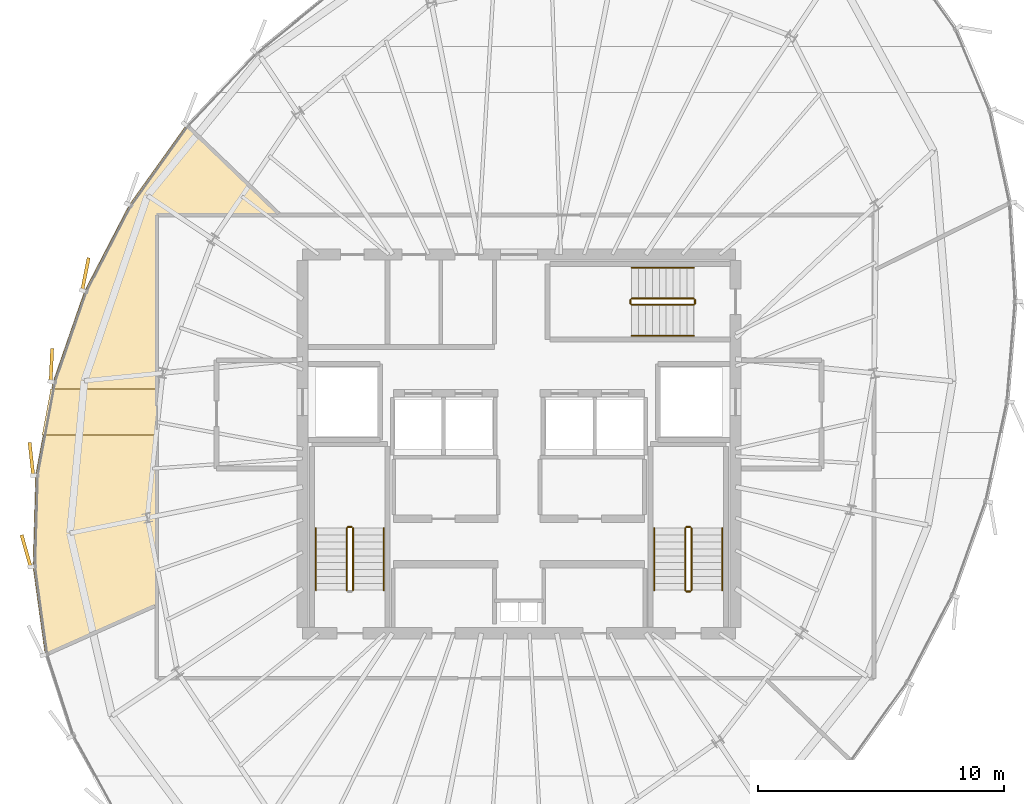
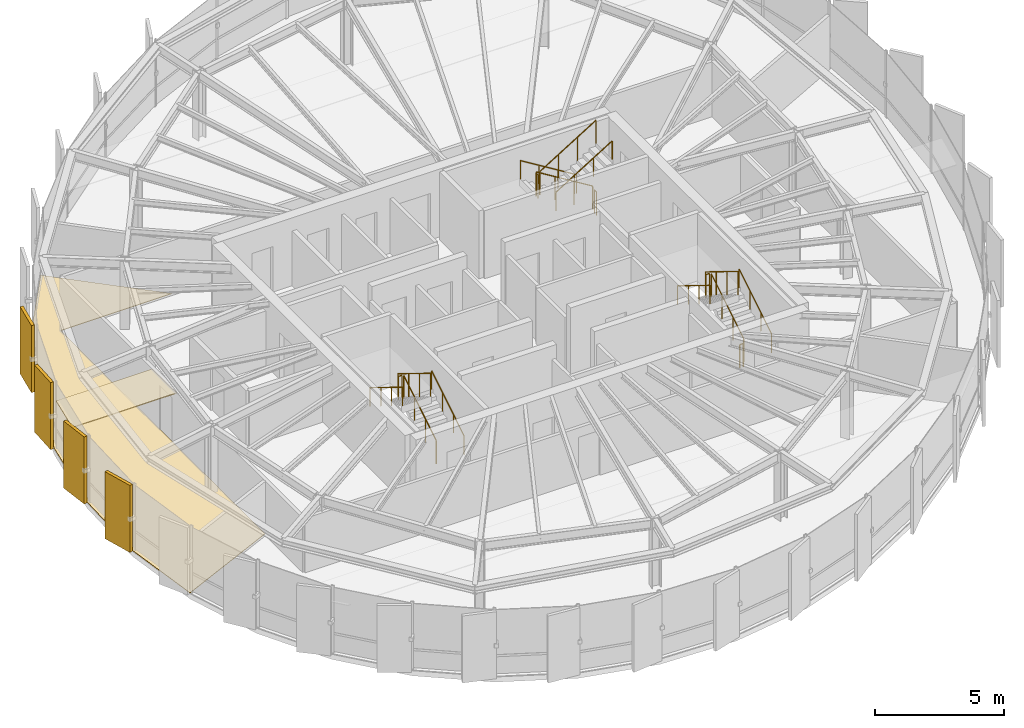
# One storey, part 30 of 31: 17 railings, 6 coverings.
"""IFC4 building model written with IfcOpenShell, lengths in metres."""

from ifc_helpers import new_model, si_unit, direction, frame, origin, origin_2d, place, context, subcontext, project, spatial, polyline, rectangle, circle, outline, extrude, source, transform, mapped, material, layer, layer_set, type_object, element, save


model = new_model("IFC4")

# Units and contexts
model_context = context("Model", 3, precision=1e-05, world=origin(), true_north=direction((0.0, 1.0)))
body_context = subcontext(model_context, "Body", "Model", "MODEL_VIEW")
ifc_project = project(units=[si_unit("LENGTHUNIT", "METRE"), si_unit("AREAUNIT", "SQUARE_METRE"), si_unit("VOLUMEUNIT", "CUBIC_METRE"), si_unit("PLANEANGLEUNIT", "RADIAN"), si_unit("MASSUNIT", "GRAM", prefix="KILO"), si_unit("THERMODYNAMICTEMPERATUREUNIT", "KELVIN")], contexts=[model_context])

# Site, building, storey
site_placement = place(None, origin())
site = spatial("IfcSite", under=ifc_project, at=site_placement, CompositionType="ELEMENT")
building_placement = place(site_placement, origin())
building = spatial("IfcBuilding", under=site, at=building_placement, Name="Kethvar Cultural Tower", CompositionType="ELEMENT")
storey_placement = place(building_placement, frame((0.0, 0.0, 269.800048828125)))
storey = spatial("IfcBuildingStorey", under=building, at=storey_placement, Name="L71", CompositionType="ELEMENT", Elevation=269.800048828125)

# Coverings
ifc_material_1 = material(Name="Acoustic Mineral Fibre Ceiling")
ifc_layer_1 = layer(ifc_material_1, 0.0400390625, Name="Acoustic Mineral Fibre Ceiling")
ifc_layer_set_1 = layer_set([ifc_layer_1], Name="Acoustic Mineral Fibre Ceiling (40 mm)")
covering_type_1 = type_object("IfcCoveringType", Name="CV-ACOUSTIC-CEIL", PredefinedType="CEILING", material=ifc_layer_set_1)
covering_1_placement = place(storey_placement, frame((0.0, 0.0, 2.449951171875)))
element("IfcCovering", 1, at=covering_1_placement, inside=storey, type_object=covering_type_1, Name="L71 Room 04 Acoustic Ceiling Panel", PredefinedType="CEILING", context=body_context, shape_type="SweptSolid", body=[
    extrude(outline(polyline([(27.762939453125, 30.037109375), (32.090087890625, 30.037109375), (32.090087890625, 28.1669921875), (27.413818359375, 28.1669921875), (27.762939453125, 30.037109375)])), origin(), (0.0, 0.0, 1.0), 0.0400390625),
])
ifc_material_2 = material(Name="Architectural Oak Timber", Category="wood")
ifc_layer_2 = layer(ifc_material_2, 0.02490234375, Name="Architectural Oak Timber", Category="wood")
ifc_layer_set_2 = layer_set([ifc_layer_2], Name="Architectural Oak Timber (25 mm)")
covering_type_2 = type_object("IfcCoveringType", Name="CV-OAK-FLOOR", PredefinedType="FLOORING", material=ifc_layer_set_2)
covering_2_placement = place(storey_placement, origin())
element("IfcCovering", 2, at=covering_2_placement, inside=storey, type_object=covering_type_2, Name="L71 Room 04 Floor Finish", PredefinedType="FLOORING", context=body_context, shape_type="SweptSolid", body=[
    extrude(outline(polyline([(27.04345703125, 22.808837890625), (27.150634765625, 26.541015625), (27.85498046875, 30.3115234375), (29.135009765625, 34.005859375), (30.9521484375, 37.51171875), (33.256591796875, 40.734619140625), (37.033203125, 37.1201171875), (32.05078125, 37.105712890625), (32.050048828125, 21.261962890625), (27.533447265625, 19.253173828125), (27.04345703125, 22.808837890625)])), origin(), (0.0, 0.0, 1.0), 0.02490234375),
])

# Railings
ifc_material_3 = material(Name="Steel S355J2", Category="steel")
railing_type_1 = type_object("IfcRailingType", Name="RL-STAIR-GUARD", PredefinedType="BALUSTRADE", material=ifc_material_3)
railing_1_placement = place(storey_placement, frame((40.050048828125, 21.85009765625, 0.17236328125)))
element("IfcRailing", 3, at=railing_1_placement, inside=storey, type_object=railing_type_1, Name="L71 ST-01 stair guard 1", PredefinedType="BALUSTRADE", context=body_context, shape_type="SweptSolid", body=[
    extrude(circle(Radius=0.02392578125, at=origin_2d()), frame((0.0, 0.0, 1.09619140625), z_axis=(0.0, 0.851400495292, 0.524516154772), x_axis=(-1.0, 0.0, 0.0)), (0.0, 0.0, 1.0), 2.9599609375),
    extrude(circle(Radius=0.02099609375, at=origin_2d()), origin(), (0.0, 0.0, 1.0), 1.072021484375),
    extrude(circle(Radius=0.02099609375, at=origin_2d()), frame((0.0, 0.840087890625, 0.517578125)), (0.0, 0.0, 1.0), 1.072021484375),
    extrude(circle(Radius=0.02099609375, at=origin_2d()), frame((0.0, 1.679931640625, 1.034912109375)), (0.0, 0.0, 1.0), 1.072021484375),
    extrude(circle(Radius=0.02099609375, at=origin_2d()), frame((0.0, 2.52001953125, 1.552490234375)), (0.0, 0.0, 1.0), 1.072021484375),
])
railing_2_placement = place(storey_placement, frame((40.0, 24.419921875, 1.724853515625)))
element("IfcRailing", 4, at=railing_2_placement, inside=storey, type_object=railing_type_1, Name="L71 ST-01 stair guard 2", PredefinedType="BALUSTRADE", context=body_context, shape_type="SweptSolid", body=[
    extrude(circle(Radius=0.02392578125, at=origin_2d()), frame((0.0, 0.0, 1.09619140625), z_axis=(-1.0, 0.0, 0.0), x_axis=(0.0, -1.0, 0.0)), (0.0, 0.0, 1.0), 0.159912109375),
    extrude(circle(Radius=0.02099609375, at=origin_2d()), origin(), (0.0, 0.0, 1.0), 1.072021484375),
    extrude(circle(Radius=0.02099609375, at=origin_2d()), frame((-0.159912109375, 0.0, 0.0)), (0.0, 0.0, 1.0), 1.072021484375),
])
railing_3_placement = place(storey_placement, frame((39.7900390625, 24.3701171875, 1.8974609375)))
element("IfcRailing", 5, at=railing_3_placement, inside=storey, type_object=railing_type_1, Name="L71 ST-01 stair guard 3", PredefinedType="BALUSTRADE", context=body_context, shape_type="SweptSolid", body=[
    extrude(circle(Radius=0.02392578125, at=origin_2d()), frame((0.0, 0.0, 1.09619140625), z_axis=(0.0, -0.851400495292, 0.524516154772), x_axis=(1.0, 0.0, 0.0)), (0.0, 0.0, 1.0), 2.9599609375),
    extrude(circle(Radius=0.02099609375, at=origin_2d()), origin(), (0.0, 0.0, 1.0), 1.072021484375),
    extrude(circle(Radius=0.02099609375, at=origin_2d()), frame((0.0, -0.840087890625, 0.517578125)), (0.0, 0.0, 1.0), 1.072021484375),
    extrude(circle(Radius=0.02099609375, at=origin_2d()), frame((0.0, -1.679931640625, 1.034912109375)), (0.0, 0.0, 1.0), 1.072021484375),
    extrude(circle(Radius=0.02099609375, at=origin_2d()), frame((0.0, -2.52001953125, 1.552490234375)), (0.0, 0.0, 1.0), 1.072021484375),
])
railing_4_placement = place(storey_placement, frame((53.81005859375, 21.85009765625, 0.17236328125)))
element("IfcRailing", 6, at=railing_4_placement, inside=storey, type_object=railing_type_1, Name="L71 ST-02 stair guard 1", PredefinedType="BALUSTRADE", context=body_context, shape_type="SweptSolid", body=[
    extrude(circle(Radius=0.02392578125, at=origin_2d()), frame((0.0, 0.0, 1.09619140625), z_axis=(0.0, 0.851400495292, 0.524516154772), x_axis=(-1.0, 0.0, 0.0)), (0.0, 0.0, 1.0), 2.9599609375),
    extrude(circle(Radius=0.02099609375, at=origin_2d()), origin(), (0.0, 0.0, 1.0), 1.072021484375),
    extrude(circle(Radius=0.02099609375, at=origin_2d()), frame((0.0, 0.840087890625, 0.517578125)), (0.0, 0.0, 1.0), 1.072021484375),
    extrude(circle(Radius=0.02099609375, at=origin_2d()), frame((0.0, 1.679931640625, 1.034912109375)), (0.0, 0.0, 1.0), 1.072021484375),
    extrude(circle(Radius=0.02099609375, at=origin_2d()), frame((0.0, 2.52001953125, 1.552490234375)), (0.0, 0.0, 1.0), 1.072021484375),
])
railing_5_placement = place(storey_placement, frame((53.760009765625, 24.419921875, 1.724853515625)))
element("IfcRailing", 7, at=railing_5_placement, inside=storey, type_object=railing_type_1, Name="L71 ST-02 stair guard 2", PredefinedType="BALUSTRADE", context=body_context, shape_type="SweptSolid", body=[
    extrude(circle(Radius=0.02392578125, at=origin_2d()), frame((0.0, 0.0, 1.09619140625), z_axis=(-1.0, 0.0, 0.0), x_axis=(0.0, -1.0, 0.0)), (0.0, 0.0, 1.0), 0.159912109375),
    extrude(circle(Radius=0.02099609375, at=origin_2d()), origin(), (0.0, 0.0, 1.0), 1.072021484375),
    extrude(circle(Radius=0.02099609375, at=origin_2d()), frame((-0.159912109375, 0.0, 0.0)), (0.0, 0.0, 1.0), 1.072021484375),
])
railing_6_placement = place(storey_placement, frame((53.550048828125, 24.3701171875, 1.8974609375)))
element("IfcRailing", 8, at=railing_6_placement, inside=storey, type_object=railing_type_1, Name="L71 ST-02 stair guard 3", PredefinedType="BALUSTRADE", context=body_context, shape_type="SweptSolid", body=[
    extrude(circle(Radius=0.02392578125, at=origin_2d()), frame((0.0, 0.0, 1.09619140625), z_axis=(0.0, -0.851400495292, 0.524516154772), x_axis=(1.0, 0.0, 0.0)), (0.0, 0.0, 1.0), 2.9599609375),
    extrude(circle(Radius=0.02099609375, at=origin_2d()), origin(), (0.0, 0.0, 1.0), 1.072021484375),
    extrude(circle(Radius=0.02099609375, at=origin_2d()), frame((0.0, -0.840087890625, 0.517578125)), (0.0, 0.0, 1.0), 1.072021484375),
    extrude(circle(Radius=0.02099609375, at=origin_2d()), frame((0.0, -1.679931640625, 1.034912109375)), (0.0, 0.0, 1.0), 1.072021484375),
    extrude(circle(Radius=0.02099609375, at=origin_2d()), frame((0.0, -2.52001953125, 1.552490234375)), (0.0, 0.0, 1.0), 1.072021484375),
])
railing_7_placement = place(storey_placement, frame((53.760009765625, 21.800048828125, 0.0)))
element("IfcRailing", 9, at=railing_7_placement, inside=storey, type_object=railing_type_1, Name="L71 ST-02 stair guard 4", PredefinedType="BALUSTRADE", context=body_context, shape_type="SweptSolid", body=[
    extrude(circle(Radius=0.02392578125, at=origin_2d()), frame((0.0, 0.0, 1.09619140625), z_axis=(-1.0, 0.0, 0.0), x_axis=(0.0, -1.0, 0.0)), (0.0, 0.0, 1.0), 0.159912109375),
    extrude(circle(Radius=0.02099609375, at=origin_2d()), origin(), (0.0, 0.0, 1.0), 1.072021484375),
    extrude(circle(Radius=0.02099609375, at=origin_2d()), frame((-0.159912109375, 0.0, 0.0)), (0.0, 0.0, 1.0), 1.072021484375),
])
railing_8_placement = place(storey_placement, frame((53.89990234375, 33.7099609375, 0.17236328125)))
element("IfcRailing", 10, at=railing_8_placement, inside=storey, type_object=railing_type_1, Name="L71 ST-03 stair guard 1", PredefinedType="BALUSTRADE", context=body_context, shape_type="SweptSolid", body=[
    extrude(circle(Radius=0.02392578125, at=origin_2d()), frame((0.0, 0.0, 1.09619140625), z_axis=(-0.851400495292, 0.0, 0.524516154772), x_axis=(0.0, -1.0, 0.0)), (0.0, 0.0, 1.0), 2.9599609375),
    extrude(circle(Radius=0.02099609375, at=origin_2d()), origin(), (0.0, 0.0, 1.0), 1.072021484375),
    extrude(circle(Radius=0.02099609375, at=origin_2d()), frame((-0.840087890625, 0.0, 0.517578125)), (0.0, 0.0, 1.0), 1.072021484375),
    extrude(circle(Radius=0.02099609375, at=origin_2d()), frame((-1.679931640625, 0.0, 1.034912109375)), (0.0, 0.0, 1.0), 1.072021484375),
    extrude(circle(Radius=0.02099609375, at=origin_2d()), frame((-2.52001953125, 0.0, 1.552490234375)), (0.0, 0.0, 1.0), 1.072021484375),
])
railing_9_placement = place(storey_placement, frame((51.330078125, 33.659912109375, 1.724853515625)))
element("IfcRailing", 11, at=railing_9_placement, inside=storey, type_object=railing_type_1, Name="L71 ST-03 stair guard 2", PredefinedType="BALUSTRADE", context=body_context, shape_type="SweptSolid", body=[
    extrude(circle(Radius=0.02392578125, at=origin_2d()), frame((0.0, 0.0, 1.09619140625), z_axis=(0.0, -1.0, 0.0), x_axis=(1.0, 0.0, 0.0)), (0.0, 0.0, 1.0), 0.159912109375),
    extrude(circle(Radius=0.02099609375, at=origin_2d()), origin(), (0.0, 0.0, 1.0), 1.072021484375),
    extrude(circle(Radius=0.02099609375, at=origin_2d()), frame((0.0, -0.159912109375, 0.0)), (0.0, 0.0, 1.0), 1.072021484375),
])
railing_10_placement = place(storey_placement, frame((51.3798828125, 33.449951171875, 1.8974609375)))
element("IfcRailing", 12, at=railing_10_placement, inside=storey, type_object=railing_type_1, Name="L71 ST-03 stair guard 3", PredefinedType="BALUSTRADE", context=body_context, shape_type="SweptSolid", body=[
    extrude(circle(Radius=0.02392578125, at=origin_2d()), frame((0.0, 0.0, 1.09619140625), z_axis=(0.851400495292, 0.0, 0.524516154772), x_axis=(0.0, 1.0, 0.0)), (0.0, 0.0, 1.0), 2.9599609375),
    extrude(circle(Radius=0.02099609375, at=origin_2d()), origin(), (0.0, 0.0, 1.0), 1.072021484375),
    extrude(circle(Radius=0.02099609375, at=origin_2d()), frame((0.840087890625, 0.0, 0.517578125)), (0.0, 0.0, 1.0), 1.072021484375),
    extrude(circle(Radius=0.02099609375, at=origin_2d()), frame((1.679931640625, 0.0, 1.034912109375)), (0.0, 0.0, 1.0), 1.072021484375),
    extrude(circle(Radius=0.02099609375, at=origin_2d()), frame((2.52001953125, 0.0, 1.552490234375)), (0.0, 0.0, 1.0), 1.072021484375),
])
railing_11_placement = place(storey_placement, frame((53.949951171875, 33.659912109375, 0.0)))
element("IfcRailing", 13, at=railing_11_placement, inside=storey, type_object=railing_type_1, Name="L71 ST-03 stair guard 4", PredefinedType="BALUSTRADE", context=body_context, shape_type="SweptSolid", body=[
    extrude(circle(Radius=0.02392578125, at=origin_2d()), frame((0.0, 0.0, 1.09619140625), z_axis=(0.0, -1.0, 0.0), x_axis=(1.0, 0.0, 0.0)), (0.0, 0.0, 1.0), 0.159912109375),
    extrude(circle(Radius=0.02099609375, at=origin_2d()), origin(), (0.0, 0.0, 1.0), 1.072021484375),
    extrude(circle(Radius=0.02099609375, at=origin_2d()), frame((0.0, -0.159912109375, 0.0)), (0.0, 0.0, 1.0), 1.072021484375),
])
railing_type_2 = type_object("IfcRailingType", Name="RL-STAIR-HANDRAIL", PredefinedType="HANDRAIL", material=ifc_material_3)
railing_12_placement = place(storey_placement, frame((41.300048828125, 21.85009765625, 0.17236328125)))
element("IfcRailing", 14, at=railing_12_placement, inside=storey, type_object=railing_type_2, Name="L71 ST-01 stair handrail 1", PredefinedType="HANDRAIL", context=body_context, shape_type="SweptSolid", body=[
    extrude(circle(Radius=0.02392578125, at=origin_2d()), frame((0.0, 0.0, 0.8759765625), z_axis=(0.0, 0.851400495292, 0.524516154772), x_axis=(-1.0, 0.0, 0.0)), (0.0, 0.0, 1.0), 2.9599609375),
    extrude(circle(Radius=0.02099609375, at=origin_2d()), origin(), (0.0, 0.0, 1.0), 0.851806640625),
    extrude(circle(Radius=0.02099609375, at=origin_2d()), frame((0.0, 0.840087890625, 0.517578125)), (0.0, 0.0, 1.0), 0.851806640625),
    extrude(circle(Radius=0.02099609375, at=origin_2d()), frame((0.0, 1.679931640625, 1.034912109375)), (0.0, 0.0, 1.0), 0.851806640625),
    extrude(circle(Radius=0.02099609375, at=origin_2d()), frame((0.0, 2.52001953125, 1.552490234375)), (0.0, 0.0, 1.0), 0.851806640625),
])
railing_13_placement = place(storey_placement, frame((38.5400390625, 24.3701171875, 1.8974609375)))
element("IfcRailing", 15, at=railing_13_placement, inside=storey, type_object=railing_type_2, Name="L71 ST-01 stair handrail 2", PredefinedType="HANDRAIL", context=body_context, shape_type="SweptSolid", body=[
    extrude(circle(Radius=0.02392578125, at=origin_2d()), frame((0.0, 0.0, 0.8759765625), z_axis=(0.0, -0.851400495292, 0.524516154772), x_axis=(1.0, 0.0, 0.0)), (0.0, 0.0, 1.0), 2.9599609375),
    extrude(circle(Radius=0.02099609375, at=origin_2d()), origin(), (0.0, 0.0, 1.0), 0.851806640625),
    extrude(circle(Radius=0.02099609375, at=origin_2d()), frame((0.0, -0.840087890625, 0.517578125)), (0.0, 0.0, 1.0), 0.851806640625),
    extrude(circle(Radius=0.02099609375, at=origin_2d()), frame((0.0, -1.679931640625, 1.034912109375)), (0.0, 0.0, 1.0), 0.851806640625),
    extrude(circle(Radius=0.02099609375, at=origin_2d()), frame((0.0, -2.52001953125, 1.552490234375)), (0.0, 0.0, 1.0), 0.851806640625),
])
railing_14_placement = place(storey_placement, frame((55.06005859375, 21.85009765625, 0.17236328125)))
element("IfcRailing", 16, at=railing_14_placement, inside=storey, type_object=railing_type_2, Name="L71 ST-02 stair handrail 1", PredefinedType="HANDRAIL", context=body_context, shape_type="SweptSolid", body=[
    extrude(circle(Radius=0.02392578125, at=origin_2d()), frame((0.0, 0.0, 0.8759765625), z_axis=(0.0, 0.851400495292, 0.524516154772), x_axis=(-1.0, 0.0, 0.0)), (0.0, 0.0, 1.0), 2.9599609375),
    extrude(circle(Radius=0.02099609375, at=origin_2d()), origin(), (0.0, 0.0, 1.0), 0.851806640625),
    extrude(circle(Radius=0.02099609375, at=origin_2d()), frame((0.0, 0.840087890625, 0.517578125)), (0.0, 0.0, 1.0), 0.851806640625),
    extrude(circle(Radius=0.02099609375, at=origin_2d()), frame((0.0, 1.679931640625, 1.034912109375)), (0.0, 0.0, 1.0), 0.851806640625),
    extrude(circle(Radius=0.02099609375, at=origin_2d()), frame((0.0, 2.52001953125, 1.552490234375)), (0.0, 0.0, 1.0), 0.851806640625),
])
railing_15_placement = place(storey_placement, frame((52.300048828125, 24.3701171875, 1.8974609375)))
element("IfcRailing", 17, at=railing_15_placement, inside=storey, type_object=railing_type_2, Name="L71 ST-02 stair handrail 2", PredefinedType="HANDRAIL", context=body_context, shape_type="SweptSolid", body=[
    extrude(circle(Radius=0.02392578125, at=origin_2d()), frame((0.0, 0.0, 0.8759765625), z_axis=(0.0, -0.851400495292, 0.524516154772), x_axis=(1.0, 0.0, 0.0)), (0.0, 0.0, 1.0), 2.9599609375),
    extrude(circle(Radius=0.02099609375, at=origin_2d()), origin(), (0.0, 0.0, 1.0), 0.851806640625),
    extrude(circle(Radius=0.02099609375, at=origin_2d()), frame((0.0, -0.840087890625, 0.517578125)), (0.0, 0.0, 1.0), 0.851806640625),
    extrude(circle(Radius=0.02099609375, at=origin_2d()), frame((0.0, -1.679931640625, 1.034912109375)), (0.0, 0.0, 1.0), 0.851806640625),
    extrude(circle(Radius=0.02099609375, at=origin_2d()), frame((0.0, -2.52001953125, 1.552490234375)), (0.0, 0.0, 1.0), 0.851806640625),
])
railing_16_placement = place(storey_placement, frame((53.89990234375, 34.9599609375, 0.17236328125)))
element("IfcRailing", 18, at=railing_16_placement, inside=storey, type_object=railing_type_2, Name="L71 ST-03 stair handrail 1", PredefinedType="HANDRAIL", context=body_context, shape_type="SweptSolid", body=[
    extrude(circle(Radius=0.02392578125, at=origin_2d()), frame((0.0, 0.0, 0.8759765625), z_axis=(-0.851400495292, 0.0, 0.524516154772), x_axis=(0.0, -1.0, 0.0)), (0.0, 0.0, 1.0), 2.9599609375),
    extrude(circle(Radius=0.02099609375, at=origin_2d()), origin(), (0.0, 0.0, 1.0), 0.851806640625),
    extrude(circle(Radius=0.02099609375, at=origin_2d()), frame((-0.840087890625, 0.0, 0.517578125)), (0.0, 0.0, 1.0), 0.851806640625),
    extrude(circle(Radius=0.02099609375, at=origin_2d()), frame((-1.679931640625, 0.0, 1.034912109375)), (0.0, 0.0, 1.0), 0.851806640625),
    extrude(circle(Radius=0.02099609375, at=origin_2d()), frame((-2.52001953125, 0.0, 1.552490234375)), (0.0, 0.0, 1.0), 0.851806640625),
])
railing_17_placement = place(storey_placement, frame((51.3798828125, 32.199951171875, 1.8974609375)))
element("IfcRailing", 19, at=railing_17_placement, inside=storey, type_object=railing_type_2, Name="L71 ST-03 stair handrail 2", PredefinedType="HANDRAIL", context=body_context, shape_type="SweptSolid", body=[
    extrude(circle(Radius=0.02392578125, at=origin_2d()), frame((0.0, 0.0, 0.8759765625), z_axis=(0.851400495292, 0.0, 0.524516154772), x_axis=(0.0, 1.0, 0.0)), (0.0, 0.0, 1.0), 2.9599609375),
    extrude(circle(Radius=0.02099609375, at=origin_2d()), origin(), (0.0, 0.0, 1.0), 0.851806640625),
    extrude(circle(Radius=0.02099609375, at=origin_2d()), frame((0.840087890625, 0.0, 0.517578125)), (0.0, 0.0, 1.0), 0.851806640625),
    extrude(circle(Radius=0.02099609375, at=origin_2d()), frame((1.679931640625, 0.0, 1.034912109375)), (0.0, 0.0, 1.0), 0.851806640625),
    extrude(circle(Radius=0.02099609375, at=origin_2d()), frame((2.52001953125, 0.0, 1.552490234375)), (0.0, 0.0, 1.0), 0.851806640625),
])

# Coverings
ifc_material_4 = material(Name="Extruded Architectural Terracotta", Category="masonry")
ifc_layer_3 = layer(ifc_material_4, 0.135009765625, Name="Extruded Architectural Terracotta", Category="masonry")
ifc_layer_set_3 = layer_set([ifc_layer_3], Name="Extruded Architectural Terracotta (135 mm)")
covering_type_3 = type_object("IfcCoveringType", Name="Terracotta Facade Fin FIN-03", PredefinedType="CLADDING", material=ifc_layer_set_3)
shared_shape = source(origin(), body_context, "Body", "SweptSolid", [
    extrude(rectangle(XDim=1.35009765625, YDim=0.135009765625, at=origin_2d()), origin(), (0.0, 0.0, 1.0), 3.169921875),
])
for number, where, z_axis, x_axis, name in (
    (20, (29.171142578125, 34.702392578125, 0.02001953125), (0.0, 0.0, 1.0), (0.192693231472, 0.981259047624, 0.0), "L71 Vertical Terracotta Fin 2.5"),
    (21, (27.787353515625, 31.005615234375, 0.02001953125), (0.0, 0.0, 1.0), (0.045014278861, 0.9989863436, 0.0), "L71 Vertical Terracotta Fin 2.6"),
    (22, (26.974853515625, 27.180419921875, 0.02001953125), (0.0, 0.0, 1.0), (-0.110775124211, 0.993845496974, 0.0), "L71 Vertical Terracotta Fin 3.1"),
    (23, (26.760009765625, 23.4462890625, 0.02001953125), (0.0, 0.0, 1.0), (-0.273119836863, 0.961980017834, 0.0), "L71 Vertical Terracotta Fin 3.2"),
):
    element("IfcCovering", number, at=place(storey_placement, frame(where, z_axis=z_axis, x_axis=x_axis)), inside=storey, type_object=covering_type_3, Name=name, PredefinedType="CLADDING", context=body_context, shape_type="MappedRepresentation", body=[
        mapped(shared_shape, transform((0.0, 0.0, 0.0), scale=1.0)),
    ])

save(model, "model.ifc")
